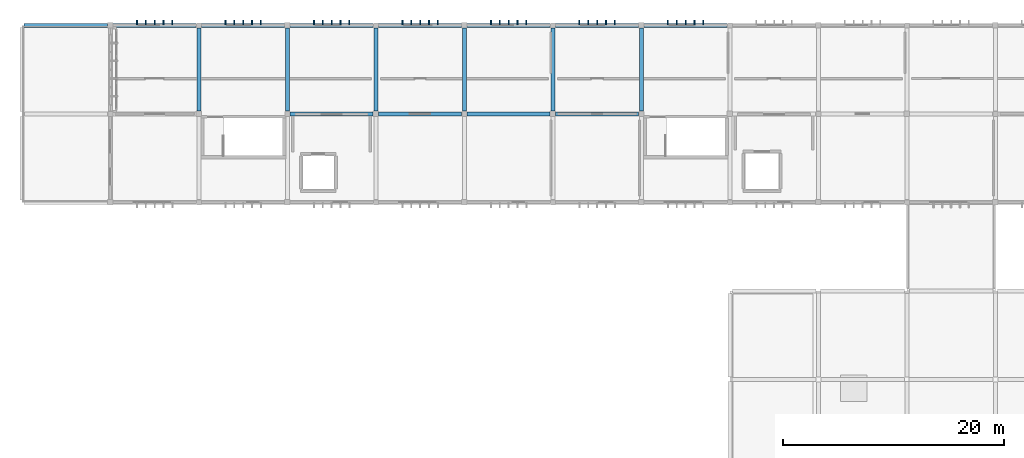
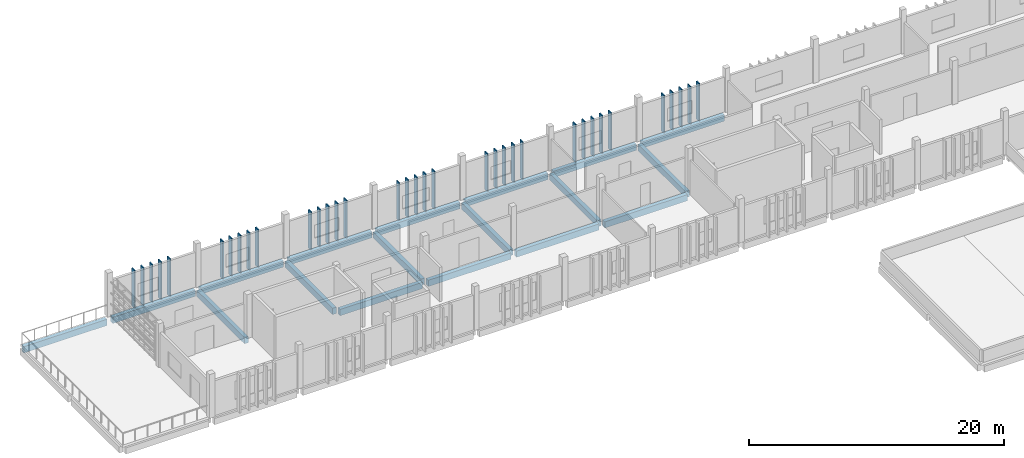
# One storey, part 4 of 16: 35 members, 18 beams.
"""IFC4 building model written with IfcOpenShell, lengths in metres."""

from ifc_helpers import new_model, si_unit, direction, frame, origin, origin_2d, place, context, subcontext, project, spatial, rectangle, extrude, material, material_profile, profile_set, type_object, element, save


model = new_model("IFC4")

# Units and contexts
model_context = context("Model", 3, precision=1e-05, world=origin(), true_north=direction((0.0, 1.0)))
body_context = subcontext(model_context, "Body", "Model", "MODEL_VIEW")
ifc_project = project(units=[si_unit("LENGTHUNIT", "METRE"), si_unit("AREAUNIT", "SQUARE_METRE"), si_unit("VOLUMEUNIT", "CUBIC_METRE"), si_unit("PLANEANGLEUNIT", "RADIAN"), si_unit("MASSUNIT", "GRAM", prefix="KILO")], contexts=[model_context])

# Site, building, storey
site_placement = place(None, origin())
site = spatial("IfcSite", under=ifc_project, at=site_placement, CompositionType="ELEMENT")
building_placement = place(site_placement, origin())
building = spatial("IfcBuilding", under=site, at=building_placement, Name="Jelvoka-Kovrelna Polytechnic", CompositionType="ELEMENT")
storey_placement = place(building_placement, frame((0.0, 0.0, 30.60009765625)))
storey = spatial("IfcBuildingStorey", under=building, at=storey_placement, Name="L08", CompositionType="ELEMENT", Elevation=30.60009765625)

# Beams
ifc_material_1 = material(Name="Concrete C35/45", Category="concrete")
ifc_material_profile_1 = material_profile(ifc_material_1, rectangle(XDim=0.35009765625, YDim=0.60009765625, at=origin_2d()), Name="RC 350x600")
ifc_profile_set_1 = profile_set([ifc_material_profile_1], Name="Concrete C35/45")
beam_type_1 = type_object("IfcBeamType", Name="Beam_RC_350x600", PredefinedType="BEAM", material=ifc_profile_set_1)
for number, where, z_axis, x_axis, name in (
    (1, (88.2548828125, 64.0, -0.525146484375), (1.0, 0.0, 0.0), (0.0, 1.0, 0.0), "L08 beam 1919"),
    (2, (96.2548828125, 64.0, -0.525146484375), (1.0, 0.0, 0.0), (0.0, 1.0, 0.0), "L08 beam 1920"),
    (3, (104.2548828125, 64.0, -0.525146484375), (1.0, 0.0, 0.0), (0.0, 1.0, 0.0), "L08 beam 1921"),
    (4, (80.0, 64.2548828125, -0.525146484375), (0.0, 1.0, 0.0), (-1.0, 0.0, 0.0), "L08 beam 1930"),
    (5, (88.0, 64.2548828125, -0.525146484375), (0.0, 1.0, 0.0), (-1.0, 0.0, 0.0), "L08 beam 1932"),
    (6, (96.0, 64.2548828125, -0.525146484375), (0.0, 1.0, 0.0), (-1.0, 0.0, 0.0), "L08 beam 1934"),
    (7, (104.0, 64.2548828125, -0.525146484375), (0.0, 1.0, 0.0), (-1.0, 0.0, 0.0), "L08 beam 1936"),
    (8, (112.0, 64.2548828125, -0.525146484375), (0.0, 1.0, 0.0), (-1.0, 0.0, 0.0), "L08 beam 1938"),
    (9, (112.2548828125, 64.0, -0.525146484375), (1.0, 0.0, 0.0), (0.0, 1.0, 0.0), "L08 beam 1948"),
    (10, (120.0, 64.2548828125, -0.525146484375), (0.0, 1.0, 0.0), (-1.0, 0.0, 0.0), "L08 beam 1965"),
):
    element("IfcBeam", number, at=place(storey_placement, frame(where, z_axis=z_axis, x_axis=x_axis)), inside=storey, type_object=beam_type_1, Name=name, PredefinedType="BEAM", context=body_context, shape_type="SweptSolid", body=[
        extrude(rectangle(XDim=0.35009765625, YDim=0.60009765625, at=origin_2d()), origin(), (0.0, 0.0, 1.0), 7.490234375),
    ])

# Members
ifc_material_2 = material(Name="Precast concrete C40/50", Category="concrete")
ifc_material_profile_2 = material_profile(ifc_material_2, rectangle(XDim=0.10009765625, YDim=0.449951171875, at=origin_2d()), Name="PC 100x450")
ifc_profile_set_2 = profile_set([ifc_material_profile_2], Name="Precast concrete C40/50")
member_type = type_object("IfcMemberType", Name="Louvre_Fin_100x450", PredefinedType="USERDEFINED", material=ifc_profile_set_2)
for number, where, z_axis, x_axis, name in (
    (11, (74.39990234375, 72.264892578125, -0.27001953125), (0.0, 0.0, 1.0), (1.0, 0.0, 0.0), "L08 B3 north vertical solar louvre fin 2231"),
    (12, (75.199951171875, 72.264892578125, -0.27001953125), (0.0, 0.0, 1.0), (1.0, 0.0, 0.0), "L08 B3 north vertical solar louvre fin 2232"),
    (13, (76.0, 72.264892578125, -0.27001953125), (0.0, 0.0, 1.0), (1.0, 0.0, 0.0), "L08 B3 north vertical solar louvre fin 2233"),
    (14, (76.800048828125, 72.264892578125, -0.27001953125), (0.0, 0.0, 1.0), (1.0, 0.0, 0.0), "L08 B3 north vertical solar louvre fin 2234"),
    (15, (77.60009765625, 72.264892578125, -0.27001953125), (0.0, 0.0, 1.0), (1.0, 0.0, 0.0), "L08 B3 north vertical solar louvre fin 2235"),
    (16, (82.39990234375, 72.264892578125, -0.27001953125), (0.0, 0.0, 1.0), (1.0, 0.0, 0.0), "L08 B3 north vertical solar louvre fin 2241"),
    (17, (83.199951171875, 72.264892578125, -0.27001953125), (0.0, 0.0, 1.0), (1.0, 0.0, 0.0), "L08 B3 north vertical solar louvre fin 2242"),
    (18, (84.0, 72.264892578125, -0.27001953125), (0.0, 0.0, 1.0), (1.0, 0.0, 0.0), "L08 B3 north vertical solar louvre fin 2243"),
    (19, (84.800048828125, 72.264892578125, -0.27001953125), (0.0, 0.0, 1.0), (1.0, 0.0, 0.0), "L08 B3 north vertical solar louvre fin 2244"),
    (20, (85.60009765625, 72.264892578125, -0.27001953125), (0.0, 0.0, 1.0), (1.0, 0.0, 0.0), "L08 B3 north vertical solar louvre fin 2245"),
    (21, (90.39990234375, 72.264892578125, -0.27001953125), (0.0, 0.0, 1.0), (1.0, 0.0, 0.0), "L08 B3 north vertical solar louvre fin 2251"),
    (22, (91.199951171875, 72.264892578125, -0.27001953125), (0.0, 0.0, 1.0), (1.0, 0.0, 0.0), "L08 B3 north vertical solar louvre fin 2252"),
    (23, (92.0, 72.264892578125, -0.27001953125), (0.0, 0.0, 1.0), (1.0, 0.0, 0.0), "L08 B3 north vertical solar louvre fin 2253"),
    (24, (92.800048828125, 72.264892578125, -0.27001953125), (0.0, 0.0, 1.0), (1.0, 0.0, 0.0), "L08 B3 north vertical solar louvre fin 2254"),
    (25, (93.60009765625, 72.264892578125, -0.27001953125), (0.0, 0.0, 1.0), (1.0, 0.0, 0.0), "L08 B3 north vertical solar louvre fin 2255"),
    (26, (98.39990234375, 72.264892578125, -0.27001953125), (0.0, 0.0, 1.0), (1.0, 0.0, 0.0), "L08 B3 north vertical solar louvre fin 2261"),
    (27, (99.199951171875, 72.264892578125, -0.27001953125), (0.0, 0.0, 1.0), (1.0, 0.0, 0.0), "L08 B3 north vertical solar louvre fin 2262"),
    (28, (100.0, 72.264892578125, -0.27001953125), (0.0, 0.0, 1.0), (1.0, 0.0, 0.0), "L08 B3 north vertical solar louvre fin 2263"),
    (29, (100.800048828125, 72.264892578125, -0.27001953125), (0.0, 0.0, 1.0), (1.0, 0.0, 0.0), "L08 B3 north vertical solar louvre fin 2264"),
    (30, (101.60009765625, 72.264892578125, -0.27001953125), (0.0, 0.0, 1.0), (1.0, 0.0, 0.0), "L08 B3 north vertical solar louvre fin 2265"),
    (31, (106.39990234375, 72.264892578125, -0.27001953125), (0.0, 0.0, 1.0), (1.0, 0.0, 0.0), "L08 B3 north vertical solar louvre fin 2271"),
    (32, (107.199951171875, 72.264892578125, -0.27001953125), (0.0, 0.0, 1.0), (1.0, 0.0, 0.0), "L08 B3 north vertical solar louvre fin 2272"),
    (33, (108.0, 72.264892578125, -0.27001953125), (0.0, 0.0, 1.0), (1.0, 0.0, 0.0), "L08 B3 north vertical solar louvre fin 2273"),
    (34, (108.800048828125, 72.264892578125, -0.27001953125), (0.0, 0.0, 1.0), (1.0, 0.0, 0.0), "L08 B3 north vertical solar louvre fin 2274"),
    (35, (109.60009765625, 72.264892578125, -0.27001953125), (0.0, 0.0, 1.0), (1.0, 0.0, 0.0), "L08 B3 north vertical solar louvre fin 2275"),
    (36, (114.39990234375, 72.264892578125, -0.27001953125), (0.0, 0.0, 1.0), (1.0, 0.0, 0.0), "L08 B3 north vertical solar louvre fin 2281"),
    (37, (115.199951171875, 72.264892578125, -0.27001953125), (0.0, 0.0, 1.0), (1.0, 0.0, 0.0), "L08 B3 north vertical solar louvre fin 2282"),
    (38, (116.0, 72.264892578125, -0.27001953125), (0.0, 0.0, 1.0), (1.0, 0.0, 0.0), "L08 B3 north vertical solar louvre fin 2283"),
    (39, (116.800048828125, 72.264892578125, -0.27001953125), (0.0, 0.0, 1.0), (1.0, 0.0, 0.0), "L08 B3 north vertical solar louvre fin 2284"),
    (40, (117.60009765625, 72.264892578125, -0.27001953125), (0.0, 0.0, 1.0), (1.0, 0.0, 0.0), "L08 B3 north vertical solar louvre fin 2285"),
    (41, (122.39990234375, 72.264892578125, -0.27001953125), (0.0, 0.0, 1.0), (1.0, 0.0, 0.0), "L08 B3 north vertical solar louvre fin 2291"),
    (42, (123.199951171875, 72.264892578125, -0.27001953125), (0.0, 0.0, 1.0), (1.0, 0.0, 0.0), "L08 B3 north vertical solar louvre fin 2292"),
    (43, (124.0, 72.264892578125, -0.27001953125), (0.0, 0.0, 1.0), (1.0, 0.0, 0.0), "L08 B3 north vertical solar louvre fin 2293"),
    (44, (124.800048828125, 72.264892578125, -0.27001953125), (0.0, 0.0, 1.0), (1.0, 0.0, 0.0), "L08 B3 north vertical solar louvre fin 2294"),
    (45, (125.60009765625, 72.264892578125, -0.27001953125), (0.0, 0.0, 1.0), (1.0, 0.0, 0.0), "L08 B3 north vertical solar louvre fin 2295"),
):
    element("IfcMember", number, at=place(storey_placement, frame(where, z_axis=z_axis, x_axis=x_axis)), inside=storey, type_object=member_type, Name=name, ObjectType="SUNSHADE", PredefinedType="USERDEFINED", context=body_context, shape_type="SweptSolid", body=[
        extrude(rectangle(XDim=0.10009765625, YDim=0.449951171875, at=origin_2d()), origin(), (0.0, 0.0, 1.0), 3.655029296875),
    ])

# Beams
ifc_material_3 = material(Name="Concrete C40/50", Category="concrete")
ifc_material_profile_3 = material_profile(ifc_material_3, rectangle(XDim=0.35009765625, YDim=0.60009765625, at=origin_2d()), Name="RC 350x600")
ifc_profile_set_3 = profile_set([ifc_material_profile_3], Name="Concrete C40/50")
beam_type_2 = type_object("IfcBeamType", Name="Spandrel_RC_350x600", PredefinedType="SPANDREL", material=ifc_profile_set_3)
for number, where, z_axis, x_axis, name in (
    (46, (72.2548828125, 72.0, -0.525146484375), (1.0, 0.0, 0.0), (0.0, 1.0, 0.0), "L08 beam 1922"),
    (47, (80.2548828125, 72.0, -0.525146484375), (1.0, 0.0, 0.0), (0.0, 1.0, 0.0), "L08 beam 1923"),
    (48, (88.2548828125, 72.0, -0.525146484375), (1.0, 0.0, 0.0), (0.0, 1.0, 0.0), "L08 beam 1924"),
    (49, (96.2548828125, 72.0, -0.525146484375), (1.0, 0.0, 0.0), (0.0, 1.0, 0.0), "L08 beam 1925"),
    (50, (104.2548828125, 72.0, -0.525146484375), (1.0, 0.0, 0.0), (0.0, 1.0, 0.0), "L08 beam 1926"),
    (51, (112.2548828125, 72.0, -0.525146484375), (1.0, 0.0, 0.0), (0.0, 1.0, 0.0), "L08 beam 1955"),
    (52, (120.2548828125, 72.0, -0.525146484375), (1.0, 0.0, 0.0), (0.0, 1.0, 0.0), "L08 beam 1956"),
):
    element("IfcBeam", number, at=place(storey_placement, frame(where, z_axis=z_axis, x_axis=x_axis)), inside=storey, type_object=beam_type_2, Name=name, PredefinedType="SPANDREL", context=body_context, shape_type="SweptSolid", body=[
        extrude(rectangle(XDim=0.35009765625, YDim=0.60009765625, at=origin_2d()), origin(), (0.0, 0.0, 1.0), 7.490234375),
    ])
beam_placement = place(storey_placement, frame((64.205078125, 72.0, -0.52001953125), z_axis=(1.0, 0.0, 0.0), x_axis=(0.0, 1.0, 0.0)))
element("IfcBeam", 53, at=beam_placement, inside=storey, type_object=beam_type_2, Name="L08 beam 1984", PredefinedType="SPANDREL", context=body_context, shape_type="SweptSolid", body=[
    extrude(rectangle(XDim=0.35009765625, YDim=0.60009765625, at=origin_2d()), origin(), (0.0, 0.0, 1.0), 7.5400390625),
])

save(model, "model.ifc")
